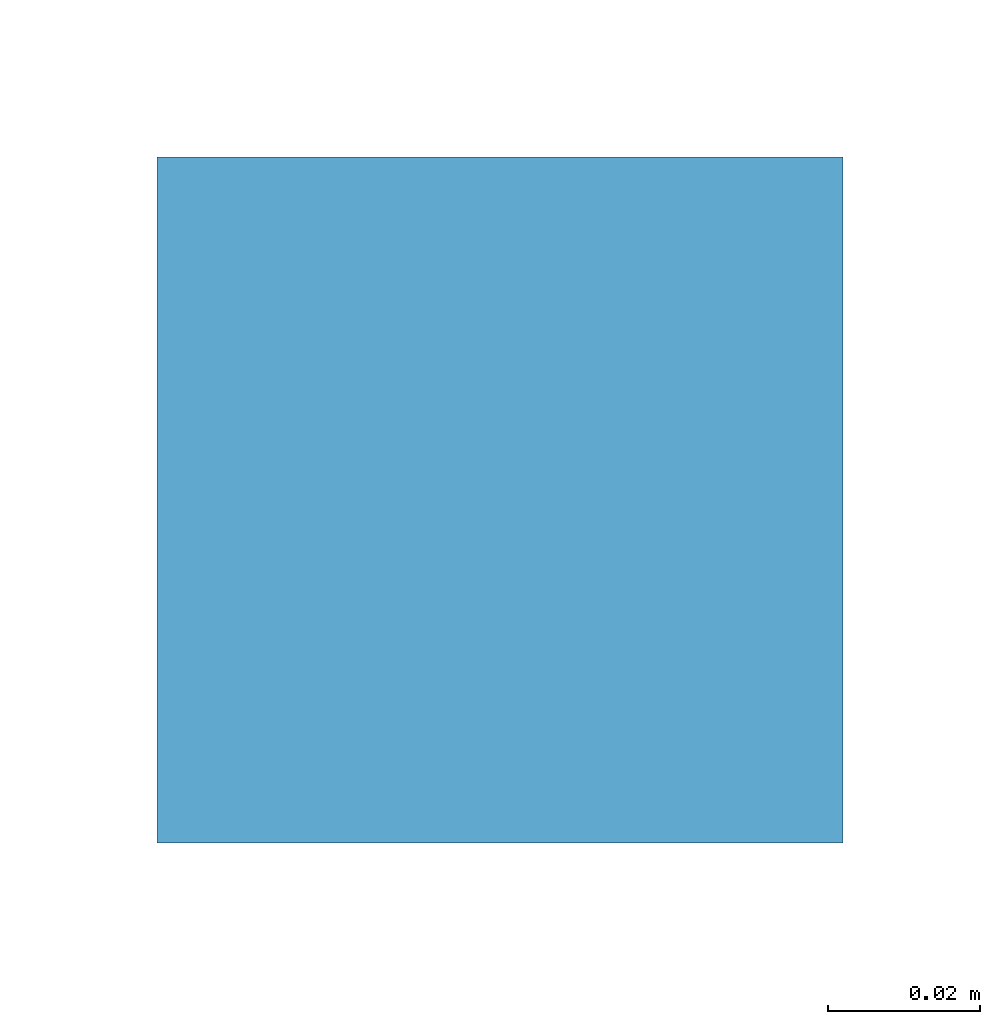
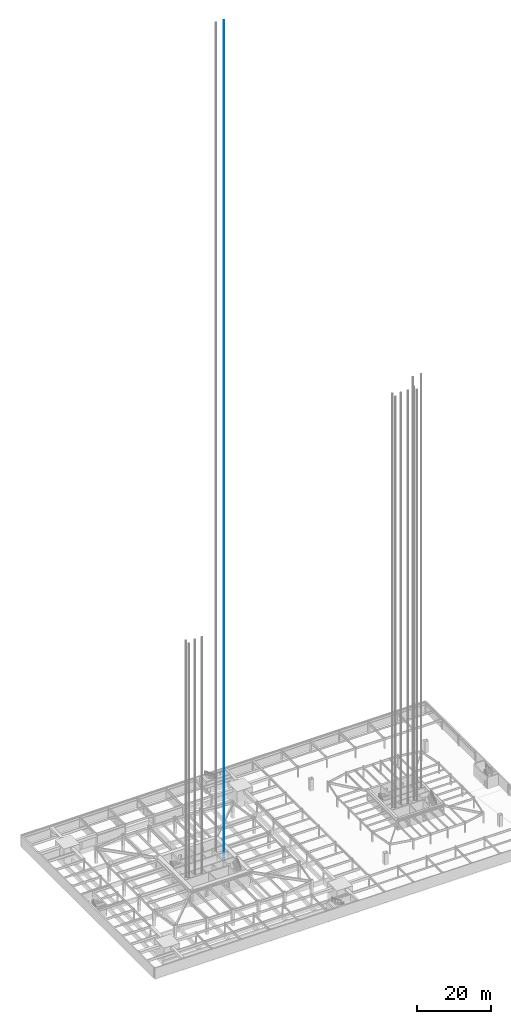
# One storey, part 24 of 35: 1 discrete accessory.
"""IFC4 building model written with IfcOpenShell, lengths in metres."""

from ifc_helpers import new_model, si_unit, direction, frame, origin, origin_2d, place, context, subcontext, project, spatial, rectangle, extrude, material, element, save


model = new_model("IFC4")

# Units and contexts
model_context = context("Model", 3, precision=1e-05, world=origin(), true_north=direction((0.0, 1.0)))
body_context = subcontext(model_context, "Body", "Model", "MODEL_VIEW")
ifc_project = project(units=[si_unit("LENGTHUNIT", "METRE"), si_unit("AREAUNIT", "SQUARE_METRE"), si_unit("VOLUMEUNIT", "CUBIC_METRE"), si_unit("PLANEANGLEUNIT", "RADIAN"), si_unit("MASSUNIT", "GRAM", prefix="KILO")], contexts=[model_context])

# Site, building, storey
site_placement = place(None, origin())
site = spatial("IfcSite", under=ifc_project, at=site_placement, CompositionType="ELEMENT")
building_placement = place(site_placement, origin())
building = spatial("IfcBuilding", under=site, at=building_placement, Name="Iwan Alto Co-Living Towers", CompositionType="ELEMENT")
storey_placement = place(building_placement, frame((0.0, 0.0, -7.199951171875)))
storey = spatial("IfcBuildingStorey", under=building, at=storey_placement, Name="B2", CompositionType="ELEMENT", Elevation=-7.199951171875)

# Discrete accessory
ifc_material = material(Name="Steel ASTM A36", Category="steel")
placement = place(storey_placement, frame((6.85009765625, 3.10009765625, 0.0), z_axis=(0.0, 0.0, 1.0), x_axis=(1.0, 0.0, 0.0)))
discrete_accessory_placement = place(placement, origin())
element("IfcDiscreteAccessory", 1, at=discrete_accessory_placement, inside=storey, material=ifc_material, Name="Lift FL1 guide rail 2", ObjectType="Lift guide rail", PredefinedType="USERDEFINED", context=body_context, shape_type="SweptSolid", body=[
    extrude(rectangle(XDim=0.09, YDim=0.09, at=origin_2d()), frame((1.300048828125, 0.0, -0.199951171875)), (0.0, 0.0, 1.0), 277.300048828125),
])

save(model, "model.ifc")
